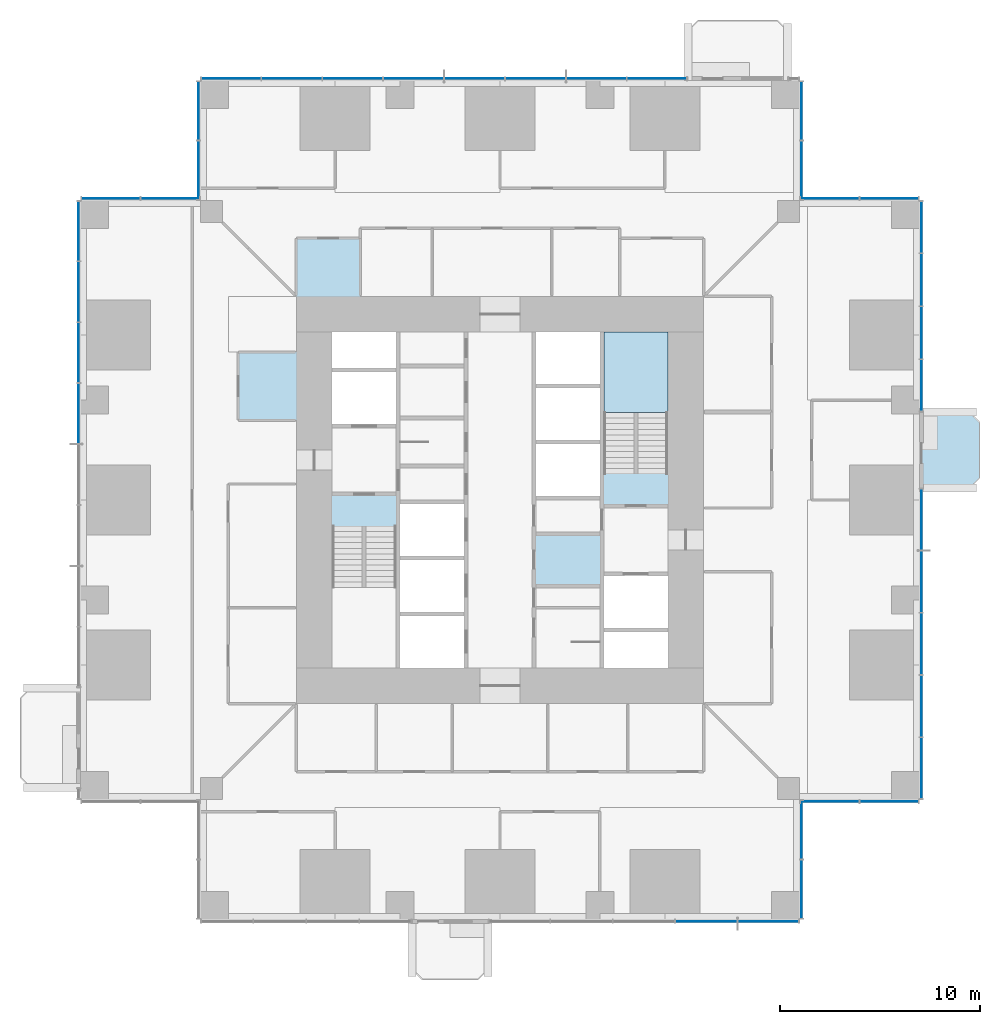
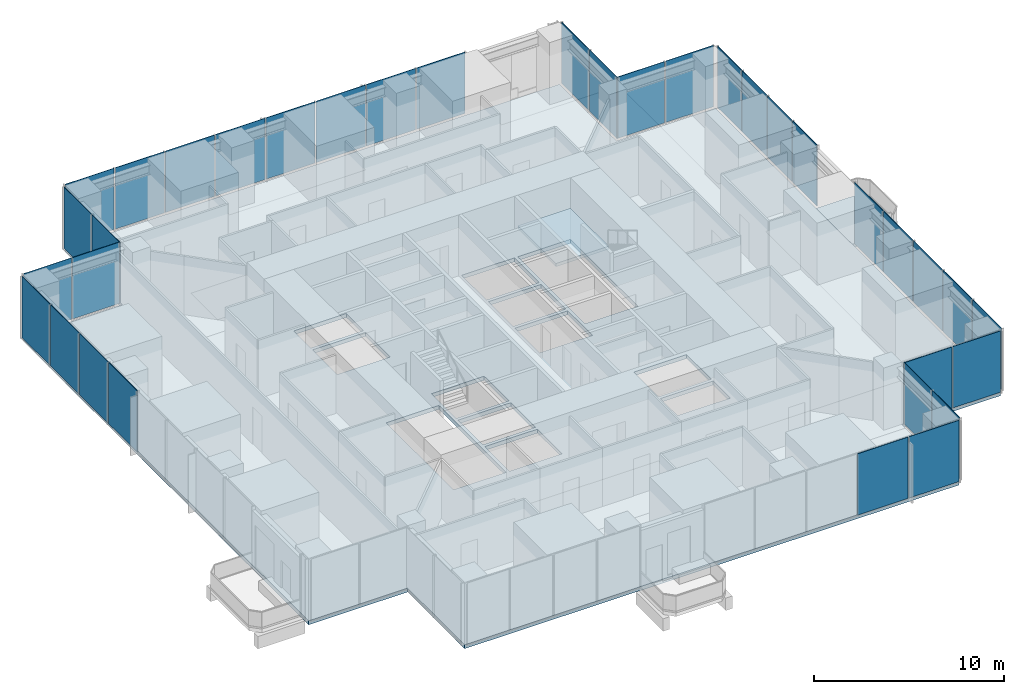
# One storey, part 9 of 18: 35 plates, 3 slabs, 12 elements without a shape of their own.
"""IFC4 building model written with IfcOpenShell, lengths in metres."""

from ifc_helpers import new_model, si_unit, direction, frame, origin, origin_2d, place, context, subcontext, project, spatial, polyline, rectangle, outline, extrude, material, layer, layer_set, type_object, element, aggregate, save


model = new_model("IFC4")

# Units and contexts
model_context = context("Model", 3, precision=1e-05, world=origin(), true_north=direction((0.0, 1.0)))
body_context = subcontext(model_context, "Body", "Model", "MODEL_VIEW")
ifc_project = project(units=[si_unit("LENGTHUNIT", "METRE"), si_unit("AREAUNIT", "SQUARE_METRE"), si_unit("VOLUMEUNIT", "CUBIC_METRE"), si_unit("PLANEANGLEUNIT", "RADIAN"), si_unit("MASSUNIT", "GRAM", prefix="KILO")], contexts=[model_context])

# Site, building, storey
site_placement = place(None, origin())
site = spatial("IfcSite", under=ifc_project, at=site_placement, CompositionType="ELEMENT")
building_placement = place(site_placement, origin())
building = spatial("IfcBuilding", under=site, at=building_placement, Name="Svetlomir Tower", CompositionType="ELEMENT")
storey_placement = place(building_placement, frame((0.0, 0.0, 46.5)))
storey = spatial("IfcBuildingStorey", under=building, at=storey_placement, Name="L10", CompositionType="ELEMENT", Elevation=46.5)

# Slab
ifc_material_1 = material(Name="Concrete C60/75", Category="concrete")
ifc_layer_1 = layer(ifc_material_1, 0.25)
ifc_layer_set_1 = layer_set([ifc_layer_1], Name="Concrete C60/75")
slab_type_1 = type_object("IfcSlabType", Name="BALCONY SLAB 250", PredefinedType="FLOOR", material=ifc_layer_set_1)
slab_1_placement = place(storey_placement, frame((0.0, 0.0, -0.25)))
element("IfcSlab", 1, at=slab_1_placement, inside=storey, type_object=slab_type_1, Name="L10 E planted balcony", PredefinedType="FLOOR", context=body_context, shape_type="SweptSolid", body=[
    extrude(outline(polyline([(42.0, 21.60009765625), (44.5, 21.60009765625), (45.0, 22.10009765625), (45.0, 24.89990234375), (44.5, 25.39990234375), (42.0, 25.39990234375), (42.0, 21.60009765625)])), origin(), (0.0, 0.0, 1.0), 0.25),
])

# Curtain wall, plates
ifc_material_2 = material(Name="Bronze anodised aluminium curtain wall", Category="aluminium")
curtain_wall_type = type_object("IfcCurtainWallType", Name="CURTAIN WALL CW1 TOWER OFFICE", PredefinedType="NOTDEFINED", material=ifc_material_2)
curtain_wall_1_placement = place(storey_placement, origin())
curtain_wall_1 = element("IfcCurtainWall", 2, at=curtain_wall_1_placement, inside=storey, type_object=curtain_wall_type, Name="Curtain wall CW1 L10", PredefinedType="NOTDEFINED")
ifc_material_3 = material(Name="Tinted double glazed unit", Category="glass")
ifc_layer_2 = layer(ifc_material_3, 0.031982421875)
ifc_layer_set_2 = layer_set([ifc_layer_2], Name="Tinted double glazed unit")
plate_type = type_object("IfcPlateType", Name="CW1 GLAZED PANEL 32", PredefinedType="CURTAIN_PANEL", material=ifc_layer_set_2)
plate_1_placement = place(storey_placement, frame((31.320068359375, -0.10009765625, 0.06494140625), z_axis=(0.0, 0.0, 1.0), x_axis=(1.0, 0.0, 0.0)))
plate_1 = element("IfcPlate", 3, at=plate_1_placement, type_object=plate_type, Name="CW1 panel 4.1", PredefinedType="CURTAIN_PANEL", context=body_context, shape_type="SweptSolid", body=[
    extrude(rectangle(XDim=3.054931640625, YDim=0.031982421875, at=origin_2d()), origin(), (0.0, 0.0, 1.0), 3.93505859375),
])
plate_2_placement = place(storey_placement, frame((34.423828125, -0.10009765625, 0.06494140625), z_axis=(0.0, 0.0, 1.0), x_axis=(1.0, 0.0, 0.0)))
plate_2 = element("IfcPlate", 4, at=plate_2_placement, type_object=plate_type, Name="CW1 panel 5.1", PredefinedType="CURTAIN_PANEL", context=body_context, shape_type="SweptSolid", body=[
    extrude(rectangle(XDim=3.0224609375, YDim=0.031982421875, at=origin_2d()), origin(), (0.0, 0.0, 1.0), 3.93505859375),
])
aggregate(curtain_wall_1, [plate_1, plate_2])

curtain_wall_2_placement = place(storey_placement, origin())
curtain_wall_2 = element("IfcCurtainWall", 5, at=curtain_wall_2_placement, inside=storey, type_object=curtain_wall_type, Name="Curtain wall CW1 L10", PredefinedType="NOTDEFINED")
plate_3_placement = place(storey_placement, frame((36.10009765625, 1.516357421875, 0.06494140625), z_axis=(0.0, 0.0, 1.0), x_axis=(0.0, 1.0, 0.0)))
plate_3 = element("IfcPlate", 6, at=plate_3_placement, type_object=plate_type, Name="CW1 panel 1.1", PredefinedType="CURTAIN_PANEL", context=body_context, shape_type="SweptSolid", body=[
    extrude(rectangle(XDim=2.902587890625, YDim=0.031982421875, at=origin_2d()), origin(), (0.0, 0.0, 1.0), 3.93505859375),
])
plate_4_placement = place(storey_placement, frame((36.10009765625, 4.483642578125, 0.06494140625), z_axis=(0.0, 0.0, 1.0), x_axis=(0.0, 1.0, 0.0)))
plate_4 = element("IfcPlate", 7, at=plate_4_placement, type_object=plate_type, Name="CW1 panel 2.1", PredefinedType="CURTAIN_PANEL", context=body_context, shape_type="SweptSolid", body=[
    extrude(rectangle(XDim=2.902587890625, YDim=0.031982421875, at=origin_2d()), origin(), (0.0, 0.0, 1.0), 3.93505859375),
])
aggregate(curtain_wall_2, [plate_3, plate_4])

curtain_wall_3_placement = place(storey_placement, origin())
curtain_wall_3 = element("IfcCurtainWall", 8, at=curtain_wall_3_placement, inside=storey, type_object=curtain_wall_type, Name="Curtain wall CW1 L10", PredefinedType="NOTDEFINED")
plate_5_placement = place(storey_placement, frame((37.516357421875, 5.89990234375, 0.06494140625), z_axis=(0.0, 0.0, 1.0), x_axis=(1.0, 0.0, 0.0)))
plate_5 = element("IfcPlate", 9, at=plate_5_placement, type_object=plate_type, Name="CW1 panel 1.1", PredefinedType="CURTAIN_PANEL", context=body_context, shape_type="SweptSolid", body=[
    extrude(rectangle(XDim=2.902587890625, YDim=0.031982421875, at=origin_2d()), origin(), (0.0, 0.0, 1.0), 3.93505859375),
])
plate_6_placement = place(storey_placement, frame((40.483642578125, 5.89990234375, 0.06494140625), z_axis=(0.0, 0.0, 1.0), x_axis=(1.0, 0.0, 0.0)))
plate_6 = element("IfcPlate", 10, at=plate_6_placement, type_object=plate_type, Name="CW1 panel 2.1", PredefinedType="CURTAIN_PANEL", context=body_context, shape_type="SweptSolid", body=[
    extrude(rectangle(XDim=2.902587890625, YDim=0.031982421875, at=origin_2d()), origin(), (0.0, 0.0, 1.0), 3.93505859375),
])
aggregate(curtain_wall_3, [plate_5, plate_6])

curtain_wall_4_placement = place(storey_placement, origin())
curtain_wall_4 = element("IfcCurtainWall", 11, at=curtain_wall_4_placement, inside=storey, type_object=curtain_wall_type, Name="Curtain wall CW1 L10", PredefinedType="NOTDEFINED")
plate_7_placement = place(storey_placement, frame((42.10009765625, 7.576171875, 0.06494140625), z_axis=(0.0, 0.0, 1.0), x_axis=(0.0, 1.0, 0.0)))
plate_7 = element("IfcPlate", 12, at=plate_7_placement, type_object=plate_type, Name="CW1 panel 1.1", PredefinedType="CURTAIN_PANEL", context=body_context, shape_type="SweptSolid", body=[
    extrude(rectangle(XDim=3.0224609375, YDim=0.031982421875, at=origin_2d()), origin(), (0.0, 0.0, 1.0), 3.93505859375),
])
plate_8_placement = place(storey_placement, frame((42.10009765625, 10.679931640625, 0.06494140625), z_axis=(0.0, 0.0, 1.0), x_axis=(0.0, 1.0, 0.0)))
plate_8 = element("IfcPlate", 13, at=plate_8_placement, type_object=plate_type, Name="CW1 panel 2.1", PredefinedType="CURTAIN_PANEL", context=body_context, shape_type="SweptSolid", body=[
    extrude(rectangle(XDim=3.054931640625, YDim=0.031982421875, at=origin_2d()), origin(), (0.0, 0.0, 1.0), 3.93505859375),
])
plate_9_placement = place(storey_placement, frame((42.10009765625, 13.800048828125, 0.06494140625), z_axis=(0.0, 0.0, 1.0), x_axis=(0.0, 1.0, 0.0)))
plate_9 = element("IfcPlate", 14, at=plate_9_placement, type_object=plate_type, Name="CW1 panel 3.1", PredefinedType="CURTAIN_PANEL", context=body_context, shape_type="SweptSolid", body=[
    extrude(rectangle(XDim=3.054931640625, YDim=0.031982421875, at=origin_2d()), origin(), (0.0, 0.0, 1.0), 3.93505859375),
])
plate_10_placement = place(storey_placement, frame((42.10009765625, 16.919921875, 0.06494140625), z_axis=(0.0, 0.0, 1.0), x_axis=(0.0, 1.0, 0.0)))
plate_10 = element("IfcPlate", 15, at=plate_10_placement, type_object=plate_type, Name="CW1 panel 4.1", PredefinedType="CURTAIN_PANEL", context=body_context, shape_type="SweptSolid", body=[
    extrude(rectangle(XDim=3.054931640625, YDim=0.031982421875, at=origin_2d()), origin(), (0.0, 0.0, 1.0), 3.93505859375),
])
plate_11_placement = place(storey_placement, frame((42.10009765625, 20.023681640625, 0.06494140625), z_axis=(0.0, 0.0, 1.0), x_axis=(0.0, 1.0, 0.0)))
plate_11 = element("IfcPlate", 16, at=plate_11_placement, type_object=plate_type, Name="CW1 panel 5.1", PredefinedType="CURTAIN_PANEL", context=body_context, shape_type="SweptSolid", body=[
    extrude(rectangle(XDim=3.0224609375, YDim=0.031982421875, at=origin_2d()), origin(), (0.0, 0.0, 1.0), 3.93505859375),
])
aggregate(curtain_wall_4, [plate_7, plate_8, plate_9, plate_10, plate_11])

curtain_wall_5_placement = place(storey_placement, origin())
curtain_wall_5 = element("IfcCurtainWall", 17, at=curtain_wall_5_placement, inside=storey, type_object=curtain_wall_type, Name="Curtain wall CW1 L10", PredefinedType="NOTDEFINED")
plate_12_placement = place(storey_placement, frame((42.10009765625, 26.7412109375, 0.06494140625), z_axis=(0.0, 0.0, 1.0), x_axis=(0.0, 1.0, 0.0)))
plate_12 = element("IfcPlate", 18, at=plate_12_placement, type_object=plate_type, Name="CW1 panel 1.1", PredefinedType="CURTAIN_PANEL", context=body_context, shape_type="SweptSolid", body=[
    extrude(rectangle(XDim=2.552490234375, YDim=0.031982421875, at=origin_2d()), origin(), (0.0, 0.0, 1.0), 3.93505859375),
])
plate_13_placement = place(storey_placement, frame((42.10009765625, 29.375, 0.06494140625), z_axis=(0.0, 0.0, 1.0), x_axis=(0.0, 1.0, 0.0)))
plate_13 = element("IfcPlate", 19, at=plate_13_placement, type_object=plate_type, Name="CW1 panel 2.1", PredefinedType="CURTAIN_PANEL", context=body_context, shape_type="SweptSolid", body=[
    extrude(rectangle(XDim=2.5849609375, YDim=0.031982421875, at=origin_2d()), origin(), (0.0, 0.0, 1.0), 3.93505859375),
])
plate_14_placement = place(storey_placement, frame((42.10009765625, 32.02490234375, 0.06494140625), z_axis=(0.0, 0.0, 1.0), x_axis=(0.0, 1.0, 0.0)))
plate_14 = element("IfcPlate", 20, at=plate_14_placement, type_object=plate_type, Name="CW1 panel 3.1", PredefinedType="CURTAIN_PANEL", context=body_context, shape_type="SweptSolid", body=[
    extrude(rectangle(XDim=2.5849609375, YDim=0.031982421875, at=origin_2d()), origin(), (0.0, 0.0, 1.0), 3.93505859375),
])
plate_15_placement = place(storey_placement, frame((42.10009765625, 34.65869140625, 0.06494140625), z_axis=(0.0, 0.0, 1.0), x_axis=(0.0, 1.0, 0.0)))
plate_15 = element("IfcPlate", 21, at=plate_15_placement, type_object=plate_type, Name="CW1 panel 4.1", PredefinedType="CURTAIN_PANEL", context=body_context, shape_type="SweptSolid", body=[
    extrude(rectangle(XDim=2.552490234375, YDim=0.031982421875, at=origin_2d()), origin(), (0.0, 0.0, 1.0), 3.93505859375),
])
aggregate(curtain_wall_5, [plate_12, plate_13, plate_14, plate_15])

curtain_wall_6_placement = place(storey_placement, origin())
curtain_wall_6 = element("IfcCurtainWall", 22, at=curtain_wall_6_placement, inside=storey, type_object=curtain_wall_type, Name="Curtain wall CW1 L10", PredefinedType="NOTDEFINED")
plate_16_placement = place(storey_placement, frame((40.483642578125, 36.10009765625, 0.06494140625), z_axis=(0.0, 0.0, 1.0), x_axis=(-1.0, 0.0, 0.0)))
plate_16 = element("IfcPlate", 23, at=plate_16_placement, type_object=plate_type, Name="CW1 panel 1.1", PredefinedType="CURTAIN_PANEL", context=body_context, shape_type="SweptSolid", body=[
    extrude(rectangle(XDim=2.902587890625, YDim=0.031982421875, at=origin_2d()), origin(), (0.0, 0.0, 1.0), 3.93505859375),
])
plate_17_placement = place(storey_placement, frame((37.516357421875, 36.10009765625, 0.06494140625), z_axis=(0.0, 0.0, 1.0), x_axis=(-1.0, 0.0, 0.0)))
plate_17 = element("IfcPlate", 24, at=plate_17_placement, type_object=plate_type, Name="CW1 panel 2.1", PredefinedType="CURTAIN_PANEL", context=body_context, shape_type="SweptSolid", body=[
    extrude(rectangle(XDim=2.902587890625, YDim=0.031982421875, at=origin_2d()), origin(), (0.0, 0.0, 1.0), 3.93505859375),
])
aggregate(curtain_wall_6, [plate_16, plate_17])

curtain_wall_7_placement = place(storey_placement, origin())
curtain_wall_7 = element("IfcCurtainWall", 25, at=curtain_wall_7_placement, inside=storey, type_object=curtain_wall_type, Name="Curtain wall CW1 L10", PredefinedType="NOTDEFINED")
plate_18_placement = place(storey_placement, frame((36.10009765625, 37.516357421875, 0.06494140625), z_axis=(0.0, 0.0, 1.0), x_axis=(0.0, 1.0, 0.0)))
plate_18 = element("IfcPlate", 26, at=plate_18_placement, type_object=plate_type, Name="CW1 panel 1.1", PredefinedType="CURTAIN_PANEL", context=body_context, shape_type="SweptSolid", body=[
    extrude(rectangle(XDim=2.902587890625, YDim=0.031982421875, at=origin_2d()), origin(), (0.0, 0.0, 1.0), 3.93505859375),
])
plate_19_placement = place(storey_placement, frame((36.10009765625, 40.483642578125, 0.06494140625), z_axis=(0.0, 0.0, 1.0), x_axis=(0.0, 1.0, 0.0)))
plate_19 = element("IfcPlate", 27, at=plate_19_placement, type_object=plate_type, Name="CW1 panel 2.1", PredefinedType="CURTAIN_PANEL", context=body_context, shape_type="SweptSolid", body=[
    extrude(rectangle(XDim=2.902587890625, YDim=0.031982421875, at=origin_2d()), origin(), (0.0, 0.0, 1.0), 3.93505859375),
])
aggregate(curtain_wall_7, [plate_18, plate_19])

curtain_wall_8_placement = place(storey_placement, origin())
curtain_wall_8 = element("IfcCurtainWall", 28, at=curtain_wall_8_placement, inside=storey, type_object=curtain_wall_type, Name="Curtain wall CW1 L10", PredefinedType="NOTDEFINED")
plate_20_placement = place(storey_placement, frame((28.858642578125, 42.10009765625, 0.06494140625), z_axis=(0.0, 0.0, 1.0), x_axis=(-1.0, 0.0, 0.0)))
plate_20 = element("IfcPlate", 29, at=plate_20_placement, type_object=plate_type, Name="CW1 panel 1.1", PredefinedType="CURTAIN_PANEL", context=body_context, shape_type="SweptSolid", body=[
    extrude(rectangle(XDim=2.952392578125, YDim=0.031982421875, at=origin_2d()), origin(), (0.0, 0.0, 1.0), 3.93505859375),
])
plate_21_placement = place(storey_placement, frame((25.824951171875, 42.10009765625, 0.06494140625), z_axis=(0.0, 0.0, 1.0), x_axis=(-1.0, 0.0, 0.0)))
plate_21 = element("IfcPlate", 30, at=plate_21_placement, type_object=plate_type, Name="CW1 panel 2.1", PredefinedType="CURTAIN_PANEL", context=body_context, shape_type="SweptSolid", body=[
    extrude(rectangle(XDim=2.985107421875, YDim=0.031982421875, at=origin_2d()), origin(), (0.0, 0.0, 1.0), 3.93505859375),
])
plate_22_placement = place(storey_placement, frame((22.77490234375, 42.10009765625, 0.06494140625), z_axis=(0.0, 0.0, 1.0), x_axis=(-1.0, 0.0, 0.0)))
plate_22 = element("IfcPlate", 31, at=plate_22_placement, type_object=plate_type, Name="CW1 panel 3.1", PredefinedType="CURTAIN_PANEL", context=body_context, shape_type="SweptSolid", body=[
    extrude(rectangle(XDim=2.985107421875, YDim=0.031982421875, at=origin_2d()), origin(), (0.0, 0.0, 1.0), 3.93505859375),
])
plate_23_placement = place(storey_placement, frame((19.72509765625, 42.10009765625, 0.06494140625), z_axis=(0.0, 0.0, 1.0), x_axis=(-1.0, 0.0, 0.0)))
plate_23 = element("IfcPlate", 32, at=plate_23_placement, type_object=plate_type, Name="CW1 panel 4.1", PredefinedType="CURTAIN_PANEL", context=body_context, shape_type="SweptSolid", body=[
    extrude(rectangle(XDim=2.985107421875, YDim=0.031982421875, at=origin_2d()), origin(), (0.0, 0.0, 1.0), 3.93505859375),
])
plate_24_placement = place(storey_placement, frame((16.675048828125, 42.10009765625, 0.06494140625), z_axis=(0.0, 0.0, 1.0), x_axis=(-1.0, 0.0, 0.0)))
plate_24 = element("IfcPlate", 33, at=plate_24_placement, type_object=plate_type, Name="CW1 panel 5.1", PredefinedType="CURTAIN_PANEL", context=body_context, shape_type="SweptSolid", body=[
    extrude(rectangle(XDim=2.985107421875, YDim=0.031982421875, at=origin_2d()), origin(), (0.0, 0.0, 1.0), 3.93505859375),
])
plate_25_placement = place(storey_placement, frame((13.625, 42.10009765625, 0.06494140625), z_axis=(0.0, 0.0, 1.0), x_axis=(-1.0, 0.0, 0.0)))
plate_25 = element("IfcPlate", 34, at=plate_25_placement, type_object=plate_type, Name="CW1 panel 6.1", PredefinedType="CURTAIN_PANEL", context=body_context, shape_type="SweptSolid", body=[
    extrude(rectangle(XDim=2.985107421875, YDim=0.031982421875, at=origin_2d()), origin(), (0.0, 0.0, 1.0), 3.93505859375),
])
plate_26_placement = place(storey_placement, frame((10.574951171875, 42.10009765625, 0.06494140625), z_axis=(0.0, 0.0, 1.0), x_axis=(-1.0, 0.0, 0.0)))
plate_26 = element("IfcPlate", 35, at=plate_26_placement, type_object=plate_type, Name="CW1 panel 7.1", PredefinedType="CURTAIN_PANEL", context=body_context, shape_type="SweptSolid", body=[
    extrude(rectangle(XDim=2.985107421875, YDim=0.031982421875, at=origin_2d()), origin(), (0.0, 0.0, 1.0), 3.93505859375),
])
plate_27_placement = place(storey_placement, frame((7.541259765625, 42.10009765625, 0.06494140625), z_axis=(0.0, 0.0, 1.0), x_axis=(-1.0, 0.0, 0.0)))
plate_27 = element("IfcPlate", 36, at=plate_27_placement, type_object=plate_type, Name="CW1 panel 8.1", PredefinedType="CURTAIN_PANEL", context=body_context, shape_type="SweptSolid", body=[
    extrude(rectangle(XDim=2.952392578125, YDim=0.031982421875, at=origin_2d()), origin(), (0.0, 0.0, 1.0), 3.93505859375),
])
aggregate(curtain_wall_8, [plate_20, plate_21, plate_22, plate_23, plate_24, plate_25, plate_26, plate_27])

curtain_wall_9_placement = place(storey_placement, origin())
curtain_wall_9 = element("IfcCurtainWall", 37, at=curtain_wall_9_placement, inside=storey, type_object=curtain_wall_type, Name="Curtain wall CW1 L10", PredefinedType="NOTDEFINED")
plate_28_placement = place(storey_placement, frame((5.89990234375, 40.483642578125, 0.06494140625), z_axis=(0.0, 0.0, 1.0), x_axis=(0.0, -1.0, 0.0)))
plate_28 = element("IfcPlate", 38, at=plate_28_placement, type_object=plate_type, Name="CW1 panel 1.1", PredefinedType="CURTAIN_PANEL", context=body_context, shape_type="SweptSolid", body=[
    extrude(rectangle(XDim=2.902587890625, YDim=0.031982421875, at=origin_2d()), origin(), (0.0, 0.0, 1.0), 3.93505859375),
])
plate_29_placement = place(storey_placement, frame((5.89990234375, 37.516357421875, 0.06494140625), z_axis=(0.0, 0.0, 1.0), x_axis=(0.0, -1.0, 0.0)))
plate_29 = element("IfcPlate", 39, at=plate_29_placement, type_object=plate_type, Name="CW1 panel 2.1", PredefinedType="CURTAIN_PANEL", context=body_context, shape_type="SweptSolid", body=[
    extrude(rectangle(XDim=2.902587890625, YDim=0.031982421875, at=origin_2d()), origin(), (0.0, 0.0, 1.0), 3.93505859375),
])
aggregate(curtain_wall_9, [plate_28, plate_29])

curtain_wall_10_placement = place(storey_placement, origin())
curtain_wall_10 = element("IfcCurtainWall", 40, at=curtain_wall_10_placement, inside=storey, type_object=curtain_wall_type, Name="Curtain wall CW1 L10", PredefinedType="NOTDEFINED")
plate_30_placement = place(storey_placement, frame((4.483642578125, 36.10009765625, 0.06494140625), z_axis=(0.0, 0.0, 1.0), x_axis=(-1.0, 0.0, 0.0)))
plate_30 = element("IfcPlate", 41, at=plate_30_placement, type_object=plate_type, Name="CW1 panel 1.1", PredefinedType="CURTAIN_PANEL", context=body_context, shape_type="SweptSolid", body=[
    extrude(rectangle(XDim=2.902587890625, YDim=0.031982421875, at=origin_2d()), origin(), (0.0, 0.0, 1.0), 3.93505859375),
])
plate_31_placement = place(storey_placement, frame((1.516357421875, 36.10009765625, 0.06494140625), z_axis=(0.0, 0.0, 1.0), x_axis=(-1.0, 0.0, 0.0)))
plate_31 = element("IfcPlate", 42, at=plate_31_placement, type_object=plate_type, Name="CW1 panel 2.1", PredefinedType="CURTAIN_PANEL", context=body_context, shape_type="SweptSolid", body=[
    extrude(rectangle(XDim=2.902587890625, YDim=0.031982421875, at=origin_2d()), origin(), (0.0, 0.0, 1.0), 3.93505859375),
])
aggregate(curtain_wall_10, [plate_30, plate_31])

curtain_wall_11_placement = place(storey_placement, origin())
curtain_wall_11 = element("IfcCurtainWall", 43, at=curtain_wall_11_placement, inside=storey, type_object=curtain_wall_type, Name="Curtain wall CW1 L10", PredefinedType="NOTDEFINED")
plate_32_placement = place(storey_placement, frame((-0.10009765625, 34.458740234375, 0.06494140625), z_axis=(0.0, 0.0, 1.0), x_axis=(0.0, -1.0, 0.0)))
plate_32 = element("IfcPlate", 44, at=plate_32_placement, type_object=plate_type, Name="CW1 panel 1.1", PredefinedType="CURTAIN_PANEL", context=body_context, shape_type="SweptSolid", body=[
    extrude(rectangle(XDim=2.952392578125, YDim=0.031982421875, at=origin_2d()), origin(), (0.0, 0.0, 1.0), 3.93505859375),
])
plate_33_placement = place(storey_placement, frame((-0.10009765625, 31.425048828125, 0.06494140625), z_axis=(0.0, 0.0, 1.0), x_axis=(0.0, -1.0, 0.0)))
plate_33 = element("IfcPlate", 45, at=plate_33_placement, type_object=plate_type, Name="CW1 panel 2.1", PredefinedType="CURTAIN_PANEL", context=body_context, shape_type="SweptSolid", body=[
    extrude(rectangle(XDim=2.985107421875, YDim=0.031982421875, at=origin_2d()), origin(), (0.0, 0.0, 1.0), 3.93505859375),
])
plate_34_placement = place(storey_placement, frame((-0.10009765625, 28.375, 0.06494140625), z_axis=(0.0, 0.0, 1.0), x_axis=(0.0, -1.0, 0.0)))
plate_34 = element("IfcPlate", 46, at=plate_34_placement, type_object=plate_type, Name="CW1 panel 3.1", PredefinedType="CURTAIN_PANEL", context=body_context, shape_type="SweptSolid", body=[
    extrude(rectangle(XDim=2.985107421875, YDim=0.031982421875, at=origin_2d()), origin(), (0.0, 0.0, 1.0), 3.93505859375),
])
plate_35_placement = place(storey_placement, frame((-0.10009765625, 25.324951171875, 0.06494140625), z_axis=(0.0, 0.0, 1.0), x_axis=(0.0, -1.0, 0.0)))
plate_35 = element("IfcPlate", 47, at=plate_35_placement, type_object=plate_type, Name="CW1 panel 4.1", PredefinedType="CURTAIN_PANEL", context=body_context, shape_type="SweptSolid", body=[
    extrude(rectangle(XDim=2.985107421875, YDim=0.031982421875, at=origin_2d()), origin(), (0.0, 0.0, 1.0), 3.93505859375),
])
aggregate(curtain_wall_11, [plate_32, plate_33, plate_34, plate_35])

# Slab
ifc_material_4 = material(Name="Concrete C60/75", Category="concrete")
ifc_layer_3 = layer(ifc_material_4, 0.25)
ifc_layer_set_3 = layer_set([ifc_layer_3], Name="Concrete C60/75")
slab_type_2 = type_object("IfcSlabType", Name="FLOOR SLAB 250", PredefinedType="FLOOR", material=ifc_layer_set_3)
slab_2_placement = place(storey_placement, frame((0.0, 0.0, -0.25)))
element("IfcSlab", 48, at=slab_2_placement, inside=storey, type_object=slab_type_2, Name="L10 floor slab", PredefinedType="FLOOR", context=body_context, shape_type="SweptSolid", body=[
    extrude(outline(polyline([(6.0, 0.0), (36.0, 0.0), (36.0, 6.0), (42.0, 6.0), (42.0, 36.0), (36.0, 36.0), (36.0, 42.0), (6.0, 42.0), (6.0, 36.0), (0.0, 36.0), (0.0, 6.0), (6.0, 6.0), (6.0, 0.0)]), holes=[polyline([(12.60009765625, 24.800048828125), (15.800048828125, 24.800048828125), (15.800048828125, 27.39990234375), (12.60009765625, 27.39990234375), (12.60009765625, 24.800048828125)]), polyline([(26.199951171875, 14.60009765625), (29.39990234375, 14.60009765625), (29.39990234375, 17.199951171875), (26.199951171875, 17.199951171875), (26.199951171875, 14.60009765625)]), polyline([(16.0, 12.60009765625), (19.199951171875, 12.60009765625), (19.199951171875, 15.199951171875), (16.0, 15.199951171875), (16.0, 12.60009765625)]), polyline([(16.0, 15.39990234375), (19.199951171875, 15.39990234375), (19.199951171875, 18.0), (16.0, 18.0), (16.0, 15.39990234375)]), polyline([(16.0, 18.199951171875), (19.199951171875, 18.199951171875), (19.199951171875, 20.800048828125), (16.0, 20.800048828125), (16.0, 18.199951171875)]), polyline([(22.800048828125, 21.199951171875), (26.0, 21.199951171875), (26.0, 23.800048828125), (22.800048828125, 23.800048828125), (22.800048828125, 21.199951171875)]), polyline([(22.800048828125, 24.0), (26.0, 24.0), (26.0, 26.60009765625), (22.800048828125, 26.60009765625), (22.800048828125, 24.0)]), polyline([(22.800048828125, 26.800048828125), (26.0, 26.800048828125), (26.0, 29.39990234375), (22.800048828125, 29.39990234375), (22.800048828125, 26.800048828125)]), polyline([(12.60009765625, 27.60009765625), (15.800048828125, 27.60009765625), (15.800048828125, 29.39990234375), (12.60009765625, 29.39990234375), (12.60009765625, 27.60009765625)]), polyline([(26.199951171875, 12.60009765625), (29.39990234375, 12.60009765625), (29.39990234375, 14.39990234375), (26.199951171875, 14.39990234375), (26.199951171875, 12.60009765625)]), polyline([(12.60009765625, 12.60009765625), (15.800048828125, 12.60009765625), (15.800048828125, 19.679931640625), (12.60009765625, 19.679931640625), (12.60009765625, 12.60009765625)]), polyline([(26.199951171875, 22.320068359375), (29.39990234375, 22.320068359375), (29.39990234375, 29.39990234375), (26.199951171875, 29.39990234375), (26.199951171875, 22.320068359375)])]), origin(), (0.0, 0.0, 1.0), 0.25),
])

# Stair, slab
ifc_material_5 = material(Name="Concrete C60/75", Category="concrete")
stair_type = type_object("IfcStairType", Name="EXIT STAIR 3200 RISE 4000", PredefinedType="HALF_TURN_STAIR", material=ifc_material_5)
stair_placement = place(storey_placement, origin())
stair = element("IfcStair", 49, at=stair_placement, inside=storey, type_object=stair_type, Name="Stair S2 L10 to L11", PredefinedType="HALF_TURN_STAIR")
ifc_material_6 = material(Name="Concrete C60/75", Category="concrete")
ifc_layer_4 = layer(ifc_material_6, 0.199951171875)
ifc_layer_set_4 = layer_set([ifc_layer_4], Name="Concrete C60/75")
slab_type_3 = type_object("IfcSlabType", Name="STAIR LANDING 200", PredefinedType="LANDING", material=ifc_layer_set_4)
slab_3_placement = place(storey_placement, frame((0.0, 0.0, 1.800048828125)))
slab_3 = element("IfcSlab", 50, at=slab_3_placement, type_object=slab_type_3, Name="S2 landing 1", PredefinedType="LANDING", context=body_context, shape_type="SweptSolid", body=[
    extrude(outline(polyline([(26.199951171875, 25.3798828125), (29.39990234375, 25.3798828125), (29.39990234375, 29.39990234375), (26.199951171875, 29.39990234375), (26.199951171875, 25.3798828125)])), origin(), (0.0, 0.0, 1.0), 0.199951171875),
])
aggregate(stair, [slab_3])

save(model, "model.ifc")
